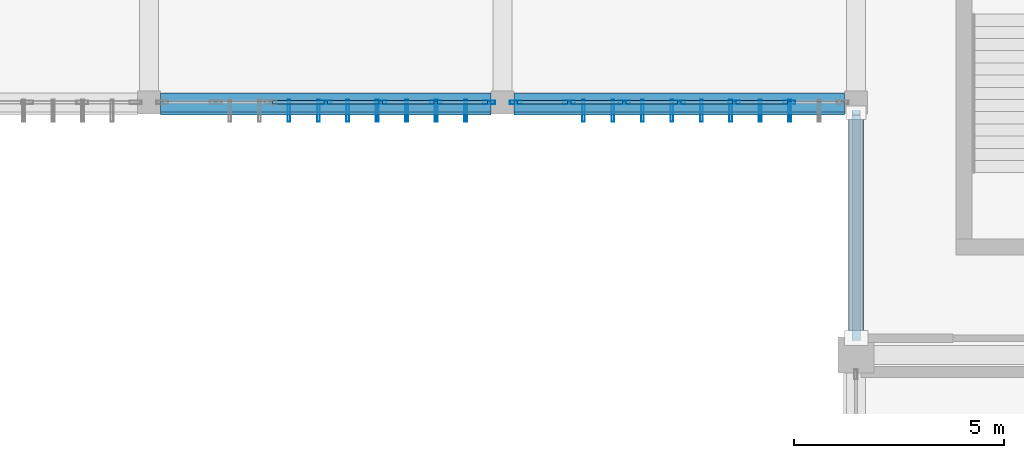
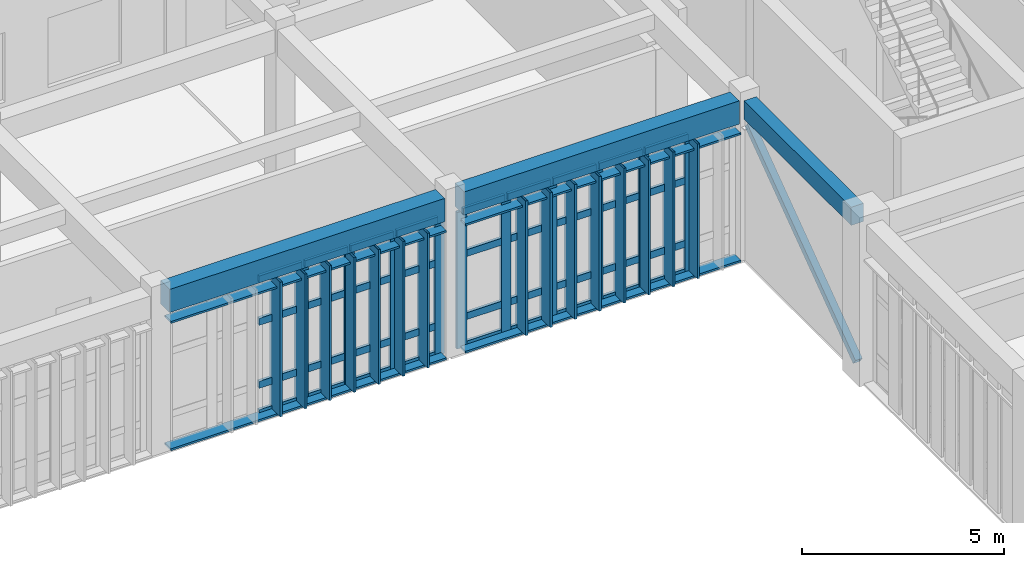
# One storey, part 50 of 106: 66 members, 3 beams, 2 elements without a shape of their own.
"""IFC4 building model written with IfcOpenShell, lengths in metres."""

from ifc_helpers import new_model, si_unit, direction, frame, origin, origin_2d, place, context, subcontext, project, spatial, rectangle, hollow_rectangle, extrude, material, layer, layer_set, material_profile, profile_set, type_object, element, aggregate, save


model = new_model("IFC4")

# Units and contexts
model_context = context("Model", 3, precision=1e-05, world=origin(), true_north=direction((0.0, 1.0)))
body_context = subcontext(model_context, "Body", "Model", "MODEL_VIEW")
ifc_project = project(units=[si_unit("LENGTHUNIT", "METRE"), si_unit("AREAUNIT", "SQUARE_METRE"), si_unit("VOLUMEUNIT", "CUBIC_METRE"), si_unit("PLANEANGLEUNIT", "RADIAN"), si_unit("MASSUNIT", "GRAM", prefix="KILO")], contexts=[model_context])

# Site, building, storey
site_placement = place(None, origin())
site = spatial("IfcSite", under=ifc_project, at=site_placement, CompositionType="ELEMENT")
building_placement = place(site_placement, origin())
building = spatial("IfcBuilding", under=site, at=building_placement, Name="Krzemoval Escarpment Law Courts", CompositionType="ELEMENT")
storey_placement = place(building_placement, frame((0.0, 0.0, 5.10009765625)))
storey = spatial("IfcBuildingStorey", under=building, at=storey_placement, Name="L01", CompositionType="ELEMENT", Elevation=5.10009765625)

# Beams
ifc_material_1 = material(Name="Concrete C40/50", Category="concrete")
ifc_material_profile_1 = material_profile(ifc_material_1, rectangle(XDim=0.35009765625, YDim=0.550048828125, at=origin_2d()), Name="RCB 350x550")
ifc_profile_set_1 = profile_set([ifc_material_profile_1], Name="Concrete C40/50")
beam_type_1 = type_object("IfcBeamType", Name="BM-RC-350x550", PredefinedType="BEAM", material=ifc_profile_set_1)
beam_1_placement = place(storey_placement, frame((126.0, 94.02490234375, 4.544921875), z_axis=(0.0, 1.0, 0.0), x_axis=(-1.0, 0.0, 0.0)))
element("IfcBeam", 1, at=beam_1_placement, inside=storey, type_object=beam_type_1, Name="Beam FG-L01-1516", PredefinedType="BEAM", context=body_context, shape_type="SweptSolid", body=[
    extrude(rectangle(XDim=0.35009765625, YDim=0.550048828125, at=origin_2d()), origin(), (0.0, 0.0, 1.0), 5.300048828125),
])
ifc_material_2 = material(Name="Concrete C40/50", Category="concrete")
ifc_material_profile_2 = material_profile(ifc_material_2, rectangle(XDim=0.449951171875, YDim=0.699951171875, at=origin_2d()), Name="RCB 450x700")
ifc_profile_set_2 = profile_set([ifc_material_profile_2], Name="Concrete C40/50")
beam_type_2 = type_object("IfcBeamType", Name="BM-RC-450x700", PredefinedType="BEAM", material=ifc_profile_set_2)
beam_2_placement = place(storey_placement, frame((109.47509765625, 99.60009765625, 4.469970703125), z_axis=(1.0, 0.0, 0.0), x_axis=(0.0, 1.0, 0.0)))
element("IfcBeam", 2, at=beam_2_placement, inside=storey, type_object=beam_type_2, Name="Beam FG-L01-1312", PredefinedType="BEAM", context=body_context, shape_type="SweptSolid", body=[
    extrude(rectangle(XDim=0.449951171875, YDim=0.699951171875, at=origin_2d()), origin(), (0.0, 0.0, 1.0), 7.849853515625),
])
beam_3_placement = place(storey_placement, frame((117.875, 99.60009765625, 4.469970703125), z_axis=(1.0, 0.0, 0.0), x_axis=(0.0, 1.0, 0.0)))
element("IfcBeam", 3, at=beam_3_placement, inside=storey, type_object=beam_type_2, Name="Beam FG-L01-1313", PredefinedType="BEAM", context=body_context, shape_type="SweptSolid", body=[
    extrude(rectangle(XDim=0.449951171875, YDim=0.699951171875, at=origin_2d()), origin(), (0.0, 0.0, 1.0), 7.85009765625),
])

# Curtain wall, members
ifc_material_3 = material(Name="Aluminium 6063-T6", Category="aluminium")
ifc_layer = layer(ifc_material_3, 0.280029296875)
ifc_layer_set = layer_set([ifc_layer], Name="Aluminium 6063-T6")
curtain_wall_type = type_object("IfcCurtainWallType", Name="CW-HALL-5100", PredefinedType="USERDEFINED", material=ifc_layer_set)
curtain_wall_1_placement = place(storey_placement, origin())
curtain_wall_1 = element("IfcCurtainWall", 4, at=curtain_wall_1_placement, inside=storey, type_object=curtain_wall_type, Name="Unitised Curtain Wall FCW-L01-046", ObjectType="UNITISED_CURTAIN_WALL", PredefinedType="USERDEFINED")
ifc_material_4 = material(Name="Aluminium 6063-T6", Category="aluminium")
ifc_material_profile_3 = material_profile(ifc_material_4, hollow_rectangle(XDim=0.0849609375, YDim=0.280029296875, WallThickness=0.005615234375, at=origin_2d()), Name="ALU M85x280")
ifc_profile_set_3 = profile_set([ifc_material_profile_3], Name="Aluminium 6063-T6")
member_type_1 = type_object("IfcMemberType", Name="CWM-85x280", PredefinedType="MULLION", material=ifc_profile_set_3)
member_1_placement = place(storey_placement, frame((124.416748046875, 99.60009765625, 0.0), z_axis=(0.0, 0.0, 1.0), x_axis=(0.0, -1.0, 0.0)))
member_1 = element("IfcMember", 5, at=member_1_placement, type_object=member_type_1, Name="FCW-L01-046 mullion 2", PredefinedType="MULLION", context=body_context, shape_type="SweptSolid", body=[
    extrude(hollow_rectangle(XDim=0.0849609375, YDim=0.280029296875, WallThickness=0.005615234375, at=origin_2d()), origin(), (0.0, 0.0, 1.0), 4.119873046875),
])
member_2_placement = place(storey_placement, frame((123.1083984375, 99.60009765625, 0.0), z_axis=(0.0, 0.0, 1.0), x_axis=(0.0, -1.0, 0.0)))
member_2 = element("IfcMember", 6, at=member_2_placement, type_object=member_type_1, Name="FCW-L01-046 mullion 3", PredefinedType="MULLION", context=body_context, shape_type="SweptSolid", body=[
    extrude(hollow_rectangle(XDim=0.0849609375, YDim=0.280029296875, WallThickness=0.005615234375, at=origin_2d()), origin(), (0.0, 0.0, 1.0), 4.119873046875),
])
member_3_placement = place(storey_placement, frame((121.800048828125, 99.60009765625, 0.0), z_axis=(0.0, 0.0, 1.0), x_axis=(0.0, -1.0, 0.0)))
member_3 = element("IfcMember", 7, at=member_3_placement, type_object=member_type_1, Name="FCW-L01-046 mullion 4", PredefinedType="MULLION", context=body_context, shape_type="SweptSolid", body=[
    extrude(hollow_rectangle(XDim=0.0849609375, YDim=0.280029296875, WallThickness=0.005615234375, at=origin_2d()), origin(), (0.0, 0.0, 1.0), 4.119873046875),
])
member_4_placement = place(storey_placement, frame((120.49169921875, 99.60009765625, 0.0), z_axis=(0.0, 0.0, 1.0), x_axis=(0.0, -1.0, 0.0)))
member_4 = element("IfcMember", 8, at=member_4_placement, type_object=member_type_1, Name="FCW-L01-046 mullion 5", PredefinedType="MULLION", context=body_context, shape_type="SweptSolid", body=[
    extrude(hollow_rectangle(XDim=0.0849609375, YDim=0.280029296875, WallThickness=0.005615234375, at=origin_2d()), origin(), (0.0, 0.0, 1.0), 4.119873046875),
])
member_5_placement = place(storey_placement, frame((119.183349609375, 99.60009765625, 0.0), z_axis=(0.0, 0.0, 1.0), x_axis=(0.0, -1.0, 0.0)))
member_5 = element("IfcMember", 9, at=member_5_placement, type_object=member_type_1, Name="FCW-L01-046 mullion 6", PredefinedType="MULLION", context=body_context, shape_type="SweptSolid", body=[
    extrude(hollow_rectangle(XDim=0.0849609375, YDim=0.280029296875, WallThickness=0.005615234375, at=origin_2d()), origin(), (0.0, 0.0, 1.0), 4.119873046875),
])
member_6_placement = place(storey_placement, frame((117.91748046875, 99.60009765625, 0.0), z_axis=(0.0, 0.0, 1.0), x_axis=(0.0, -1.0, 0.0)))
member_6 = element("IfcMember", 10, at=member_6_placement, type_object=member_type_1, Name="FCW-L01-046 mullion 7", PredefinedType="MULLION", context=body_context, shape_type="SweptSolid", body=[
    extrude(hollow_rectangle(XDim=0.0849609375, YDim=0.280029296875, WallThickness=0.005615234375, at=origin_2d()), origin(), (0.0, 0.0, 1.0), 4.119873046875),
])

curtain_wall_2_placement = place(storey_placement, origin())
curtain_wall_2 = element("IfcCurtainWall", 11, at=curtain_wall_2_placement, inside=storey, type_object=curtain_wall_type, Name="Unitised Curtain Wall FCW-L01-047", ObjectType="UNITISED_CURTAIN_WALL", PredefinedType="USERDEFINED")
member_7_placement = place(storey_placement, frame((117.282470703125, 99.60009765625, 0.0), z_axis=(0.0, 0.0, 1.0), x_axis=(0.0, -1.0, 0.0)))
member_7 = element("IfcMember", 12, at=member_7_placement, type_object=member_type_1, Name="FCW-L01-047 mullion 1", PredefinedType="MULLION", context=body_context, shape_type="SweptSolid", body=[
    extrude(hollow_rectangle(XDim=0.0849609375, YDim=0.280029296875, WallThickness=0.005615234375, at=origin_2d()), origin(), (0.0, 0.0, 1.0), 4.119873046875),
])
member_8_placement = place(storey_placement, frame((116.0166015625, 99.60009765625, 0.0), z_axis=(0.0, 0.0, 1.0), x_axis=(0.0, -1.0, 0.0)))
member_8 = element("IfcMember", 13, at=member_8_placement, type_object=member_type_1, Name="FCW-L01-047 mullion 2", PredefinedType="MULLION", context=body_context, shape_type="SweptSolid", body=[
    extrude(hollow_rectangle(XDim=0.0849609375, YDim=0.280029296875, WallThickness=0.005615234375, at=origin_2d()), origin(), (0.0, 0.0, 1.0), 4.119873046875),
])
member_9_placement = place(storey_placement, frame((114.708251953125, 99.60009765625, 0.0), z_axis=(0.0, 0.0, 1.0), x_axis=(0.0, -1.0, 0.0)))
member_9 = element("IfcMember", 14, at=member_9_placement, type_object=member_type_1, Name="FCW-L01-047 mullion 3", PredefinedType="MULLION", context=body_context, shape_type="SweptSolid", body=[
    extrude(hollow_rectangle(XDim=0.0849609375, YDim=0.280029296875, WallThickness=0.005615234375, at=origin_2d()), origin(), (0.0, 0.0, 1.0), 4.119873046875),
])
member_10_placement = place(storey_placement, frame((113.39990234375, 99.60009765625, 0.0), z_axis=(0.0, 0.0, 1.0), x_axis=(0.0, -1.0, 0.0)))
member_10 = element("IfcMember", 15, at=member_10_placement, type_object=member_type_1, Name="FCW-L01-047 mullion 4", PredefinedType="MULLION", context=body_context, shape_type="SweptSolid", body=[
    extrude(hollow_rectangle(XDim=0.0849609375, YDim=0.280029296875, WallThickness=0.005615234375, at=origin_2d()), origin(), (0.0, 0.0, 1.0), 4.119873046875),
])

# Member
ifc_material_5 = material(Name="Aluminium 6063-T6", Category="aluminium")
ifc_material_profile_4 = material_profile(ifc_material_5, hollow_rectangle(XDim=0.0849609375, YDim=0.2099609375, WallThickness=0.005615234375, at=origin_2d()), Name="ALU T85x210")
ifc_profile_set_4 = profile_set([ifc_material_profile_4], Name="Aluminium 6063-T6")
member_type_2 = type_object("IfcMemberType", Name="CWT-85x210", PredefinedType="USERDEFINED", material=ifc_profile_set_4)
member_11_placement = place(storey_placement, frame((124.374267578125, 99.60009765625, 0.04248046875), z_axis=(-1.0, 0.0, 0.0), x_axis=(0.0, -1.0, 0.0)))
member_11 = element("IfcMember", 16, at=member_11_placement, type_object=member_type_2, Name="FCW-L01-046 transom 2.1", ObjectType="TRANSOM", PredefinedType="USERDEFINED", context=body_context, shape_type="SweptSolid", body=[
    extrude(hollow_rectangle(XDim=0.0849609375, YDim=0.2099609375, WallThickness=0.005615234375, at=origin_2d()), origin(), (0.0, 0.0, 1.0), 1.223388671875),
])

member_12_placement = place(storey_placement, frame((124.374267578125, 99.60009765625, 0.89990234375), z_axis=(-1.0, 0.0, 0.0), x_axis=(0.0, -1.0, 0.0)))
member_12 = element("IfcMember", 17, at=member_12_placement, type_object=member_type_2, Name="FCW-L01-046 transom 2.2", ObjectType="TRANSOM", PredefinedType="USERDEFINED", context=body_context, shape_type="SweptSolid", body=[
    extrude(hollow_rectangle(XDim=0.0849609375, YDim=0.2099609375, WallThickness=0.005615234375, at=origin_2d()), origin(), (0.0, 0.0, 1.0), 1.223388671875),
])

member_13_placement = place(storey_placement, frame((124.374267578125, 99.60009765625, 2.7998046875), z_axis=(-1.0, 0.0, 0.0), x_axis=(0.0, -1.0, 0.0)))
member_13 = element("IfcMember", 18, at=member_13_placement, type_object=member_type_2, Name="FCW-L01-046 transom 2.3", ObjectType="TRANSOM", PredefinedType="USERDEFINED", context=body_context, shape_type="SweptSolid", body=[
    extrude(hollow_rectangle(XDim=0.0849609375, YDim=0.2099609375, WallThickness=0.005615234375, at=origin_2d()), origin(), (0.0, 0.0, 1.0), 1.223388671875),
])

member_14_placement = place(storey_placement, frame((124.374267578125, 99.60009765625, 4.077392578125), z_axis=(-1.0, 0.0, 0.0), x_axis=(0.0, -1.0, 0.0)))
member_14 = element("IfcMember", 19, at=member_14_placement, type_object=member_type_2, Name="FCW-L01-046 transom 2.4", ObjectType="TRANSOM", PredefinedType="USERDEFINED", context=body_context, shape_type="SweptSolid", body=[
    extrude(hollow_rectangle(XDim=0.0849609375, YDim=0.2099609375, WallThickness=0.005615234375, at=origin_2d()), origin(), (0.0, 0.0, 1.0), 1.223388671875),
])

member_15_placement = place(storey_placement, frame((123.06591796875, 99.60009765625, 0.04248046875), z_axis=(-1.0, 0.0, 0.0), x_axis=(0.0, -1.0, 0.0)))
member_15 = element("IfcMember", 20, at=member_15_placement, type_object=member_type_2, Name="FCW-L01-046 transom 3.1", ObjectType="TRANSOM", PredefinedType="USERDEFINED", context=body_context, shape_type="SweptSolid", body=[
    extrude(hollow_rectangle(XDim=0.0849609375, YDim=0.2099609375, WallThickness=0.005615234375, at=origin_2d()), origin(), (0.0, 0.0, 1.0), 1.223388671875),
])

member_16_placement = place(storey_placement, frame((123.06591796875, 99.60009765625, 0.89990234375), z_axis=(-1.0, 0.0, 0.0), x_axis=(0.0, -1.0, 0.0)))
member_16 = element("IfcMember", 21, at=member_16_placement, type_object=member_type_2, Name="FCW-L01-046 transom 3.2", ObjectType="TRANSOM", PredefinedType="USERDEFINED", context=body_context, shape_type="SweptSolid", body=[
    extrude(hollow_rectangle(XDim=0.0849609375, YDim=0.2099609375, WallThickness=0.005615234375, at=origin_2d()), origin(), (0.0, 0.0, 1.0), 1.223388671875),
])

member_17_placement = place(storey_placement, frame((123.06591796875, 99.60009765625, 2.7998046875), z_axis=(-1.0, 0.0, 0.0), x_axis=(0.0, -1.0, 0.0)))
member_17 = element("IfcMember", 22, at=member_17_placement, type_object=member_type_2, Name="FCW-L01-046 transom 3.3", ObjectType="TRANSOM", PredefinedType="USERDEFINED", context=body_context, shape_type="SweptSolid", body=[
    extrude(hollow_rectangle(XDim=0.0849609375, YDim=0.2099609375, WallThickness=0.005615234375, at=origin_2d()), origin(), (0.0, 0.0, 1.0), 1.223388671875),
])

member_18_placement = place(storey_placement, frame((123.06591796875, 99.60009765625, 4.077392578125), z_axis=(-1.0, 0.0, 0.0), x_axis=(0.0, -1.0, 0.0)))
member_18 = element("IfcMember", 23, at=member_18_placement, type_object=member_type_2, Name="FCW-L01-046 transom 3.4", ObjectType="TRANSOM", PredefinedType="USERDEFINED", context=body_context, shape_type="SweptSolid", body=[
    extrude(hollow_rectangle(XDim=0.0849609375, YDim=0.2099609375, WallThickness=0.005615234375, at=origin_2d()), origin(), (0.0, 0.0, 1.0), 1.223388671875),
])

member_19_placement = place(storey_placement, frame((121.757568359375, 99.60009765625, 0.04248046875), z_axis=(-1.0, 0.0, 0.0), x_axis=(0.0, -1.0, 0.0)))
member_19 = element("IfcMember", 24, at=member_19_placement, type_object=member_type_2, Name="FCW-L01-046 transom 4.1", ObjectType="TRANSOM", PredefinedType="USERDEFINED", context=body_context, shape_type="SweptSolid", body=[
    extrude(hollow_rectangle(XDim=0.0849609375, YDim=0.2099609375, WallThickness=0.005615234375, at=origin_2d()), origin(), (0.0, 0.0, 1.0), 1.223388671875),
])

member_20_placement = place(storey_placement, frame((121.757568359375, 99.60009765625, 0.89990234375), z_axis=(-1.0, 0.0, 0.0), x_axis=(0.0, -1.0, 0.0)))
member_20 = element("IfcMember", 25, at=member_20_placement, type_object=member_type_2, Name="FCW-L01-046 transom 4.2", ObjectType="TRANSOM", PredefinedType="USERDEFINED", context=body_context, shape_type="SweptSolid", body=[
    extrude(hollow_rectangle(XDim=0.0849609375, YDim=0.2099609375, WallThickness=0.005615234375, at=origin_2d()), origin(), (0.0, 0.0, 1.0), 1.223388671875),
])

member_21_placement = place(storey_placement, frame((121.757568359375, 99.60009765625, 2.7998046875), z_axis=(-1.0, 0.0, 0.0), x_axis=(0.0, -1.0, 0.0)))
member_21 = element("IfcMember", 26, at=member_21_placement, type_object=member_type_2, Name="FCW-L01-046 transom 4.3", ObjectType="TRANSOM", PredefinedType="USERDEFINED", context=body_context, shape_type="SweptSolid", body=[
    extrude(hollow_rectangle(XDim=0.0849609375, YDim=0.2099609375, WallThickness=0.005615234375, at=origin_2d()), origin(), (0.0, 0.0, 1.0), 1.223388671875),
])

member_22_placement = place(storey_placement, frame((121.757568359375, 99.60009765625, 4.077392578125), z_axis=(-1.0, 0.0, 0.0), x_axis=(0.0, -1.0, 0.0)))
member_22 = element("IfcMember", 27, at=member_22_placement, type_object=member_type_2, Name="FCW-L01-046 transom 4.4", ObjectType="TRANSOM", PredefinedType="USERDEFINED", context=body_context, shape_type="SweptSolid", body=[
    extrude(hollow_rectangle(XDim=0.0849609375, YDim=0.2099609375, WallThickness=0.005615234375, at=origin_2d()), origin(), (0.0, 0.0, 1.0), 1.223388671875),
])

member_23_placement = place(storey_placement, frame((120.44921875, 99.60009765625, 0.04248046875), z_axis=(-1.0, 0.0, 0.0), x_axis=(0.0, -1.0, 0.0)))
member_23 = element("IfcMember", 28, at=member_23_placement, type_object=member_type_2, Name="FCW-L01-046 transom 5.1", ObjectType="TRANSOM", PredefinedType="USERDEFINED", context=body_context, shape_type="SweptSolid", body=[
    extrude(hollow_rectangle(XDim=0.0849609375, YDim=0.2099609375, WallThickness=0.005615234375, at=origin_2d()), origin(), (0.0, 0.0, 1.0), 1.223388671875),
])

member_24_placement = place(storey_placement, frame((120.44921875, 99.60009765625, 0.89990234375), z_axis=(-1.0, 0.0, 0.0), x_axis=(0.0, -1.0, 0.0)))
member_24 = element("IfcMember", 29, at=member_24_placement, type_object=member_type_2, Name="FCW-L01-046 transom 5.2", ObjectType="TRANSOM", PredefinedType="USERDEFINED", context=body_context, shape_type="SweptSolid", body=[
    extrude(hollow_rectangle(XDim=0.0849609375, YDim=0.2099609375, WallThickness=0.005615234375, at=origin_2d()), origin(), (0.0, 0.0, 1.0), 1.223388671875),
])

member_25_placement = place(storey_placement, frame((120.44921875, 99.60009765625, 2.7998046875), z_axis=(-1.0, 0.0, 0.0), x_axis=(0.0, -1.0, 0.0)))
member_25 = element("IfcMember", 30, at=member_25_placement, type_object=member_type_2, Name="FCW-L01-046 transom 5.3", ObjectType="TRANSOM", PredefinedType="USERDEFINED", context=body_context, shape_type="SweptSolid", body=[
    extrude(hollow_rectangle(XDim=0.0849609375, YDim=0.2099609375, WallThickness=0.005615234375, at=origin_2d()), origin(), (0.0, 0.0, 1.0), 1.223388671875),
])

member_26_placement = place(storey_placement, frame((120.44921875, 99.60009765625, 4.077392578125), z_axis=(-1.0, 0.0, 0.0), x_axis=(0.0, -1.0, 0.0)))
member_26 = element("IfcMember", 31, at=member_26_placement, type_object=member_type_2, Name="FCW-L01-046 transom 5.4", ObjectType="TRANSOM", PredefinedType="USERDEFINED", context=body_context, shape_type="SweptSolid", body=[
    extrude(hollow_rectangle(XDim=0.0849609375, YDim=0.2099609375, WallThickness=0.005615234375, at=origin_2d()), origin(), (0.0, 0.0, 1.0), 1.223388671875),
])

member_27_placement = place(storey_placement, frame((119.140869140625, 99.60009765625, 0.04248046875), z_axis=(-1.0, 0.0, 0.0), x_axis=(0.0, -1.0, 0.0)))
member_27 = element("IfcMember", 32, at=member_27_placement, type_object=member_type_2, Name="FCW-L01-046 transom 6.1", ObjectType="TRANSOM", PredefinedType="USERDEFINED", context=body_context, shape_type="SweptSolid", body=[
    extrude(hollow_rectangle(XDim=0.0849609375, YDim=0.2099609375, WallThickness=0.005615234375, at=origin_2d()), origin(), (0.0, 0.0, 1.0), 1.180908203125),
])

member_28_placement = place(storey_placement, frame((119.140869140625, 99.60009765625, 0.89990234375), z_axis=(-1.0, 0.0, 0.0), x_axis=(0.0, -1.0, 0.0)))
member_28 = element("IfcMember", 33, at=member_28_placement, type_object=member_type_2, Name="FCW-L01-046 transom 6.2", ObjectType="TRANSOM", PredefinedType="USERDEFINED", context=body_context, shape_type="SweptSolid", body=[
    extrude(hollow_rectangle(XDim=0.0849609375, YDim=0.2099609375, WallThickness=0.005615234375, at=origin_2d()), origin(), (0.0, 0.0, 1.0), 1.180908203125),
])

member_29_placement = place(storey_placement, frame((119.140869140625, 99.60009765625, 2.7998046875), z_axis=(-1.0, 0.0, 0.0), x_axis=(0.0, -1.0, 0.0)))
member_29 = element("IfcMember", 34, at=member_29_placement, type_object=member_type_2, Name="FCW-L01-046 transom 6.3", ObjectType="TRANSOM", PredefinedType="USERDEFINED", context=body_context, shape_type="SweptSolid", body=[
    extrude(hollow_rectangle(XDim=0.0849609375, YDim=0.2099609375, WallThickness=0.005615234375, at=origin_2d()), origin(), (0.0, 0.0, 1.0), 1.180908203125),
])

member_30_placement = place(storey_placement, frame((119.140869140625, 99.60009765625, 4.077392578125), z_axis=(-1.0, 0.0, 0.0), x_axis=(0.0, -1.0, 0.0)))
member_30 = element("IfcMember", 35, at=member_30_placement, type_object=member_type_2, Name="FCW-L01-046 transom 6.4", ObjectType="TRANSOM", PredefinedType="USERDEFINED", context=body_context, shape_type="SweptSolid", body=[
    extrude(hollow_rectangle(XDim=0.0849609375, YDim=0.2099609375, WallThickness=0.005615234375, at=origin_2d()), origin(), (0.0, 0.0, 1.0), 1.180908203125),
])

aggregate(curtain_wall_1, [member_1, member_2, member_3, member_4, member_5, member_6, member_11, member_12, member_13, member_14, member_15, member_16, member_17, member_18, member_19, member_20, member_21, member_22, member_23, member_24, member_25, member_26, member_27, member_28, member_29, member_30])

member_31_placement = place(storey_placement, frame((117.239990234375, 99.60009765625, 0.04248046875), z_axis=(-1.0, 0.0, 0.0), x_axis=(0.0, -1.0, 0.0)))
member_31 = element("IfcMember", 36, at=member_31_placement, type_object=member_type_2, Name="FCW-L01-047 transom 1.1", ObjectType="TRANSOM", PredefinedType="USERDEFINED", context=body_context, shape_type="SweptSolid", body=[
    extrude(hollow_rectangle(XDim=0.0849609375, YDim=0.2099609375, WallThickness=0.005615234375, at=origin_2d()), origin(), (0.0, 0.0, 1.0), 1.180908203125),
])

member_32_placement = place(storey_placement, frame((117.239990234375, 99.60009765625, 0.89990234375), z_axis=(-1.0, 0.0, 0.0), x_axis=(0.0, -1.0, 0.0)))
member_32 = element("IfcMember", 37, at=member_32_placement, type_object=member_type_2, Name="FCW-L01-047 transom 1.2", ObjectType="TRANSOM", PredefinedType="USERDEFINED", context=body_context, shape_type="SweptSolid", body=[
    extrude(hollow_rectangle(XDim=0.0849609375, YDim=0.2099609375, WallThickness=0.005615234375, at=origin_2d()), origin(), (0.0, 0.0, 1.0), 1.180908203125),
])

member_33_placement = place(storey_placement, frame((117.239990234375, 99.60009765625, 2.7998046875), z_axis=(-1.0, 0.0, 0.0), x_axis=(0.0, -1.0, 0.0)))
member_33 = element("IfcMember", 38, at=member_33_placement, type_object=member_type_2, Name="FCW-L01-047 transom 1.3", ObjectType="TRANSOM", PredefinedType="USERDEFINED", context=body_context, shape_type="SweptSolid", body=[
    extrude(hollow_rectangle(XDim=0.0849609375, YDim=0.2099609375, WallThickness=0.005615234375, at=origin_2d()), origin(), (0.0, 0.0, 1.0), 1.180908203125),
])

member_34_placement = place(storey_placement, frame((117.239990234375, 99.60009765625, 4.077392578125), z_axis=(-1.0, 0.0, 0.0), x_axis=(0.0, -1.0, 0.0)))
member_34 = element("IfcMember", 39, at=member_34_placement, type_object=member_type_2, Name="FCW-L01-047 transom 1.4", ObjectType="TRANSOM", PredefinedType="USERDEFINED", context=body_context, shape_type="SweptSolid", body=[
    extrude(hollow_rectangle(XDim=0.0849609375, YDim=0.2099609375, WallThickness=0.005615234375, at=origin_2d()), origin(), (0.0, 0.0, 1.0), 1.180908203125),
])

member_35_placement = place(storey_placement, frame((115.97412109375, 99.60009765625, 0.04248046875), z_axis=(-1.0, 0.0, 0.0), x_axis=(0.0, -1.0, 0.0)))
member_35 = element("IfcMember", 40, at=member_35_placement, type_object=member_type_2, Name="FCW-L01-047 transom 2.1", ObjectType="TRANSOM", PredefinedType="USERDEFINED", context=body_context, shape_type="SweptSolid", body=[
    extrude(hollow_rectangle(XDim=0.0849609375, YDim=0.2099609375, WallThickness=0.005615234375, at=origin_2d()), origin(), (0.0, 0.0, 1.0), 1.223388671875),
])

member_36_placement = place(storey_placement, frame((115.97412109375, 99.60009765625, 0.89990234375), z_axis=(-1.0, 0.0, 0.0), x_axis=(0.0, -1.0, 0.0)))
member_36 = element("IfcMember", 41, at=member_36_placement, type_object=member_type_2, Name="FCW-L01-047 transom 2.2", ObjectType="TRANSOM", PredefinedType="USERDEFINED", context=body_context, shape_type="SweptSolid", body=[
    extrude(hollow_rectangle(XDim=0.0849609375, YDim=0.2099609375, WallThickness=0.005615234375, at=origin_2d()), origin(), (0.0, 0.0, 1.0), 1.223388671875),
])

member_37_placement = place(storey_placement, frame((115.97412109375, 99.60009765625, 2.7998046875), z_axis=(-1.0, 0.0, 0.0), x_axis=(0.0, -1.0, 0.0)))
member_37 = element("IfcMember", 42, at=member_37_placement, type_object=member_type_2, Name="FCW-L01-047 transom 2.3", ObjectType="TRANSOM", PredefinedType="USERDEFINED", context=body_context, shape_type="SweptSolid", body=[
    extrude(hollow_rectangle(XDim=0.0849609375, YDim=0.2099609375, WallThickness=0.005615234375, at=origin_2d()), origin(), (0.0, 0.0, 1.0), 1.223388671875),
])

member_38_placement = place(storey_placement, frame((115.97412109375, 99.60009765625, 4.077392578125), z_axis=(-1.0, 0.0, 0.0), x_axis=(0.0, -1.0, 0.0)))
member_38 = element("IfcMember", 43, at=member_38_placement, type_object=member_type_2, Name="FCW-L01-047 transom 2.4", ObjectType="TRANSOM", PredefinedType="USERDEFINED", context=body_context, shape_type="SweptSolid", body=[
    extrude(hollow_rectangle(XDim=0.0849609375, YDim=0.2099609375, WallThickness=0.005615234375, at=origin_2d()), origin(), (0.0, 0.0, 1.0), 1.223388671875),
])

member_39_placement = place(storey_placement, frame((114.665771484375, 99.60009765625, 0.04248046875), z_axis=(-1.0, 0.0, 0.0), x_axis=(0.0, -1.0, 0.0)))
member_39 = element("IfcMember", 44, at=member_39_placement, type_object=member_type_2, Name="FCW-L01-047 transom 3.1", ObjectType="TRANSOM", PredefinedType="USERDEFINED", context=body_context, shape_type="SweptSolid", body=[
    extrude(hollow_rectangle(XDim=0.0849609375, YDim=0.2099609375, WallThickness=0.005615234375, at=origin_2d()), origin(), (0.0, 0.0, 1.0), 1.223388671875),
])

member_40_placement = place(storey_placement, frame((114.665771484375, 99.60009765625, 0.89990234375), z_axis=(-1.0, 0.0, 0.0), x_axis=(0.0, -1.0, 0.0)))
member_40 = element("IfcMember", 45, at=member_40_placement, type_object=member_type_2, Name="FCW-L01-047 transom 3.2", ObjectType="TRANSOM", PredefinedType="USERDEFINED", context=body_context, shape_type="SweptSolid", body=[
    extrude(hollow_rectangle(XDim=0.0849609375, YDim=0.2099609375, WallThickness=0.005615234375, at=origin_2d()), origin(), (0.0, 0.0, 1.0), 1.223388671875),
])

member_41_placement = place(storey_placement, frame((114.665771484375, 99.60009765625, 2.7998046875), z_axis=(-1.0, 0.0, 0.0), x_axis=(0.0, -1.0, 0.0)))
member_41 = element("IfcMember", 46, at=member_41_placement, type_object=member_type_2, Name="FCW-L01-047 transom 3.3", ObjectType="TRANSOM", PredefinedType="USERDEFINED", context=body_context, shape_type="SweptSolid", body=[
    extrude(hollow_rectangle(XDim=0.0849609375, YDim=0.2099609375, WallThickness=0.005615234375, at=origin_2d()), origin(), (0.0, 0.0, 1.0), 1.223388671875),
])

member_42_placement = place(storey_placement, frame((114.665771484375, 99.60009765625, 4.077392578125), z_axis=(-1.0, 0.0, 0.0), x_axis=(0.0, -1.0, 0.0)))
member_42 = element("IfcMember", 47, at=member_42_placement, type_object=member_type_2, Name="FCW-L01-047 transom 3.4", ObjectType="TRANSOM", PredefinedType="USERDEFINED", context=body_context, shape_type="SweptSolid", body=[
    extrude(hollow_rectangle(XDim=0.0849609375, YDim=0.2099609375, WallThickness=0.005615234375, at=origin_2d()), origin(), (0.0, 0.0, 1.0), 1.223388671875),
])

member_43_placement = place(storey_placement, frame((113.357421875, 99.60009765625, 0.04248046875), z_axis=(-1.0, 0.0, 0.0), x_axis=(0.0, -1.0, 0.0)))
member_43 = element("IfcMember", 48, at=member_43_placement, type_object=member_type_2, Name="FCW-L01-047 transom 4.1", ObjectType="TRANSOM", PredefinedType="USERDEFINED", context=body_context, shape_type="SweptSolid", body=[
    extrude(hollow_rectangle(XDim=0.0849609375, YDim=0.2099609375, WallThickness=0.005615234375, at=origin_2d()), origin(), (0.0, 0.0, 1.0), 1.22314453125),
])

member_44_placement = place(storey_placement, frame((113.357421875, 99.60009765625, 0.89990234375), z_axis=(-1.0, 0.0, 0.0), x_axis=(0.0, -1.0, 0.0)))
member_44 = element("IfcMember", 49, at=member_44_placement, type_object=member_type_2, Name="FCW-L01-047 transom 4.2", ObjectType="TRANSOM", PredefinedType="USERDEFINED", context=body_context, shape_type="SweptSolid", body=[
    extrude(hollow_rectangle(XDim=0.0849609375, YDim=0.2099609375, WallThickness=0.005615234375, at=origin_2d()), origin(), (0.0, 0.0, 1.0), 1.22314453125),
])

member_45_placement = place(storey_placement, frame((113.357421875, 99.60009765625, 2.7998046875), z_axis=(-1.0, 0.0, 0.0), x_axis=(0.0, -1.0, 0.0)))
member_45 = element("IfcMember", 50, at=member_45_placement, type_object=member_type_2, Name="FCW-L01-047 transom 4.3", ObjectType="TRANSOM", PredefinedType="USERDEFINED", context=body_context, shape_type="SweptSolid", body=[
    extrude(hollow_rectangle(XDim=0.0849609375, YDim=0.2099609375, WallThickness=0.005615234375, at=origin_2d()), origin(), (0.0, 0.0, 1.0), 1.22314453125),
])

member_46_placement = place(storey_placement, frame((113.357421875, 99.60009765625, 4.077392578125), z_axis=(-1.0, 0.0, 0.0), x_axis=(0.0, -1.0, 0.0)))
member_46 = element("IfcMember", 51, at=member_46_placement, type_object=member_type_2, Name="FCW-L01-047 transom 4.4", ObjectType="TRANSOM", PredefinedType="USERDEFINED", context=body_context, shape_type="SweptSolid", body=[
    extrude(hollow_rectangle(XDim=0.0849609375, YDim=0.2099609375, WallThickness=0.005615234375, at=origin_2d()), origin(), (0.0, 0.0, 1.0), 1.22314453125),
])

aggregate(curtain_wall_2, [member_7, member_8, member_9, member_10, member_31, member_32, member_33, member_34, member_35, member_36, member_37, member_38, member_39, member_40, member_41, member_42, member_43, member_44, member_45, member_46])

# Members
ifc_material_6 = material(Name="Anodised Aluminium Alloy 6063-T6", Category="aluminium")
ifc_material_profile_5 = material_profile(ifc_material_6, hollow_rectangle(XDim=0.06005859375, YDim=0.320068359375, WallThickness=0.00390625, at=origin_2d()), Name="ALU LVR 60x320")
ifc_profile_set_5 = profile_set([ifc_material_profile_5], Name="Anodised Aluminium Alloy 6063-T6")
member_type_3 = type_object("IfcMemberType", Name="LVR-ALU-320", PredefinedType="USERDEFINED", material=ifc_profile_set_5)
for number, where, z_axis, x_axis, name in (
    (52, (125.72509765625, 99.4599609375, 0.02978515625), (-1.0, 0.0, 0.0), (0.0, 0.0, 1.0), "Sunshade Support Rail FSR-L01-0180"),
    (53, (125.72509765625, 99.4599609375, 3.869873046875), (-1.0, 0.0, 0.0), (0.0, 0.0, 1.0), "Sunshade Support Rail FSR-L01-0181"),
):
    element("IfcMember", number, at=place(storey_placement, frame(where, z_axis=z_axis, x_axis=x_axis)), inside=storey, type_object=member_type_3, Name=name, ObjectType="SUNSHADE_LOUVRE", PredefinedType="USERDEFINED", context=body_context, shape_type="SweptSolid", body=[
        extrude(hollow_rectangle(XDim=0.06005859375, YDim=0.320068359375, WallThickness=0.00390625, at=origin_2d()), origin(), (0.0, 0.0, 1.0), 7.85009765625),
    ])
for number, where, z_axis, x_axis, name in (
    (54, (117.324951171875, 99.4599609375, 0.02978515625), (-1.0, 0.0, 0.0), (0.0, 0.0, 1.0), "Sunshade Support Rail FSR-L01-0191"),
    (55, (117.324951171875, 99.4599609375, 3.869873046875), (-1.0, 0.0, 0.0), (0.0, 0.0, 1.0), "Sunshade Support Rail FSR-L01-0192"),
):
    element("IfcMember", number, at=place(storey_placement, frame(where, z_axis=z_axis, x_axis=x_axis)), inside=storey, type_object=member_type_3, Name=name, ObjectType="SUNSHADE_LOUVRE", PredefinedType="USERDEFINED", context=body_context, shape_type="SweptSolid", body=[
        extrude(hollow_rectangle(XDim=0.06005859375, YDim=0.320068359375, WallThickness=0.00390625, at=origin_2d()), origin(), (0.0, 0.0, 1.0), 7.849853515625),
    ])
ifc_material_7 = material(Name="Anodised Aluminium Alloy 6063-T6", Category="aluminium")
ifc_material_profile_6 = material_profile(ifc_material_7, hollow_rectangle(XDim=0.06494140625, YDim=0.52001953125, WallThickness=0.00439453125, at=origin_2d()), Name="ALU LVR 65x520")
ifc_profile_set_6 = profile_set([ifc_material_profile_6], Name="Anodised Aluminium Alloy 6063-T6")
member_type_4 = type_object("IfcMemberType", Name="LVR-ALU-520", PredefinedType="USERDEFINED", material=ifc_profile_set_6)
for number, where, z_axis, x_axis, name in (
    (56, (124.425048828125, 99.39990234375, 0.059814453125), (0.0, 0.0, 1.0), (1.0, 0.0, 0.0), "Sunshade Louvre Fin FLV-L01-0183"),
    (57, (123.72509765625, 99.39990234375, 0.059814453125), (0.0, 0.0, 1.0), (1.0, 0.0, 0.0), "Sunshade Louvre Fin FLV-L01-0184"),
    (58, (123.02490234375, 99.39990234375, 0.059814453125), (0.0, 0.0, 1.0), (1.0, 0.0, 0.0), "Sunshade Louvre Fin FLV-L01-0185"),
    (59, (122.324951171875, 99.39990234375, 0.059814453125), (0.0, 0.0, 1.0), (1.0, 0.0, 0.0), "Sunshade Louvre Fin FLV-L01-0186"),
    (60, (121.625, 99.39990234375, 0.059814453125), (0.0, 0.0, 1.0), (1.0, 0.0, 0.0), "Sunshade Louvre Fin FLV-L01-0187"),
    (61, (120.925048828125, 99.39990234375, 0.059814453125), (0.0, 0.0, 1.0), (1.0, 0.0, 0.0), "Sunshade Louvre Fin FLV-L01-0188"),
    (62, (120.22509765625, 99.39990234375, 0.059814453125), (0.0, 0.0, 1.0), (1.0, 0.0, 0.0), "Sunshade Louvre Fin FLV-L01-0189"),
    (63, (119.52490234375, 99.39990234375, 0.059814453125), (0.0, 0.0, 1.0), (1.0, 0.0, 0.0), "Sunshade Louvre Fin FLV-L01-0190"),
    (64, (116.72509765625, 99.39990234375, 0.059814453125), (0.0, 0.0, 1.0), (1.0, 0.0, 0.0), "Sunshade Louvre Fin FLV-L01-0193"),
    (65, (116.02490234375, 99.39990234375, 0.059814453125), (0.0, 0.0, 1.0), (1.0, 0.0, 0.0), "Sunshade Louvre Fin FLV-L01-0194"),
    (66, (115.324951171875, 99.39990234375, 0.059814453125), (0.0, 0.0, 1.0), (1.0, 0.0, 0.0), "Sunshade Louvre Fin FLV-L01-0195"),
    (67, (114.625, 99.39990234375, 0.059814453125), (0.0, 0.0, 1.0), (1.0, 0.0, 0.0), "Sunshade Louvre Fin FLV-L01-0196"),
    (68, (113.925048828125, 99.39990234375, 0.059814453125), (0.0, 0.0, 1.0), (1.0, 0.0, 0.0), "Sunshade Louvre Fin FLV-L01-0197"),
    (69, (113.22509765625, 99.39990234375, 0.059814453125), (0.0, 0.0, 1.0), (1.0, 0.0, 0.0), "Sunshade Louvre Fin FLV-L01-0198"),
    (70, (112.52490234375, 99.39990234375, 0.059814453125), (0.0, 0.0, 1.0), (1.0, 0.0, 0.0), "Sunshade Louvre Fin FLV-L01-0199"),
):
    element("IfcMember", number, at=place(storey_placement, frame(where, z_axis=z_axis, x_axis=x_axis)), inside=storey, type_object=member_type_4, Name=name, ObjectType="SUNSHADE_LOUVRE", PredefinedType="USERDEFINED", context=body_context, shape_type="SweptSolid", body=[
        extrude(hollow_rectangle(XDim=0.06494140625, YDim=0.52001953125, WallThickness=0.00439453125, at=origin_2d()), origin(), (0.0, 0.0, 1.0), 4.06005859375),
    ])
ifc_material_8 = material(Name="Steel S355", Category="steel")
ifc_material_profile_7 = material_profile(ifc_material_8, hollow_rectangle(XDim=0.199951171875, YDim=0.199951171875, WallThickness=0.010009765625, at=origin_2d()), Name="SHS 200x200x10")
ifc_profile_set_7 = profile_set([ifc_material_profile_7], Name="Steel S355")
member_type_5 = type_object("IfcMemberType", Name="MBR-BRC-SHS200", PredefinedType="BRACE", material=ifc_profile_set_7)
member_47_placement = place(storey_placement, frame((126.0, 94.0, 0.139892578125), z_axis=(0.0, 0.808094564402, 0.589052777757), x_axis=(-1.0, 0.0, 0.0)))
element("IfcMember", 71, at=member_47_placement, inside=storey, type_object=member_type_5, Name="Lateral Diagonal Brace BR-0246", PredefinedType="BRACE", context=body_context, shape_type="SweptSolid", body=[
    extrude(hollow_rectangle(XDim=0.199951171875, YDim=0.199951171875, WallThickness=0.010009765625, at=origin_2d()), origin(), (0.0, 0.0, 1.0), 6.62060546875),
])

save(model, "model.ifc")
